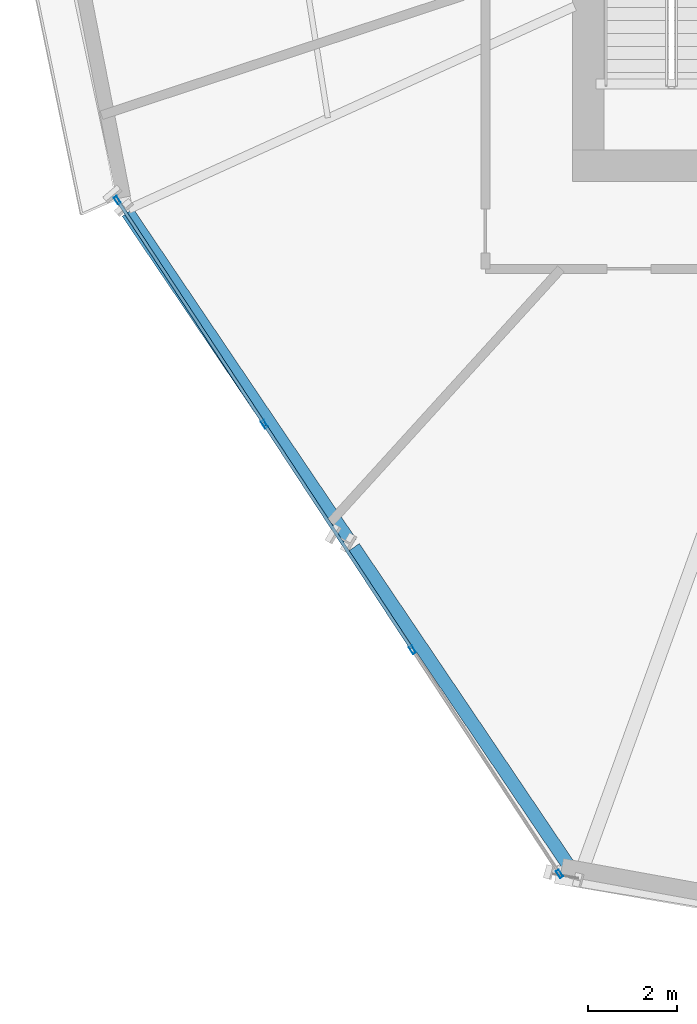
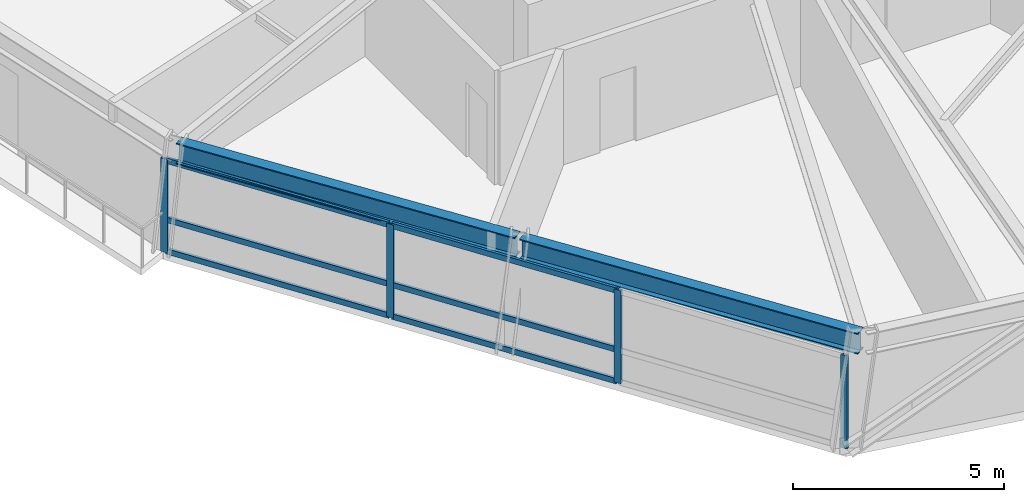
# One storey, part 2 of 14: 10 members, 2 beams, 1 element without a shape of its own.
"""IFC4 building model written with IfcOpenShell, lengths in metres."""

from ifc_helpers import new_model, si_unit, direction, frame, origin, origin_2d, place, context, subcontext, project, spatial, hollow_rectangle, i_section, extrude, source, transform, mapped, material, material_profile, profile_set, type_object, element, aggregate, save


model = new_model("IFC4")

# Units and contexts
model_context = context("Model", 3, precision=1e-05, world=origin(), true_north=direction((0.0, 1.0)))
body_context = subcontext(model_context, "Body", "Model", "MODEL_VIEW")
ifc_project = project(units=[si_unit("LENGTHUNIT", "METRE"), si_unit("AREAUNIT", "SQUARE_METRE"), si_unit("VOLUMEUNIT", "CUBIC_METRE"), si_unit("PLANEANGLEUNIT", "RADIAN"), si_unit("MASSUNIT", "GRAM", prefix="KILO")], contexts=[model_context])

# Site, building, storey
site_placement = place(None, origin())
site = spatial("IfcSite", under=ifc_project, at=site_placement, CompositionType="ELEMENT")
building_placement = place(site_placement, origin())
building = spatial("IfcBuilding", under=site, at=building_placement, Name="Olszyna Solenne Hotel", CompositionType="ELEMENT")
storey_placement = place(building_placement, frame((0.0, 0.0, 130.550048828125)))
storey = spatial("IfcBuildingStorey", under=building, at=storey_placement, Name="L34", CompositionType="ELEMENT", Elevation=130.550048828125)

# Beams
ifc_material_1 = material(Name="Steel S355J2", Category="steel")
ifc_material_profile_1 = material_profile(ifc_material_1, i_section(OverallWidth=0.300048828125, OverallDepth=0.60009765625, WebThickness=0.015380859375, FlangeThickness=0.030029296875, at=origin_2d()), Name="HEB 600", Category="load-bearing")
ifc_profile_set_1 = profile_set([ifc_material_profile_1], Name="Steel S355J2")
beam_type = type_object("IfcBeamType", Name="BM-S2", PredefinedType="BEAM", material=ifc_profile_set_1)
shared_shape_1 = source(origin(), body_context, "Body", "SweptSolid", [
    extrude(i_section(OverallWidth=0.300048828125, OverallDepth=0.60009765625, WebThickness=0.015380859375, FlangeThickness=0.030029296875, at=origin_2d()), origin(), (0.0, 0.0, 1.0), 8.910400390625),
])
beam_1_placement = place(storey_placement, frame((19.457275390625, 18.10791015625, 3.0), z_axis=(0.55954673301, -0.828798801627, 0.0), x_axis=(0.828798801627, 0.55954673301, 0.0)))
element("IfcBeam", 1, at=beam_1_placement, inside=storey, type_object=beam_type, Name="Perimeter spandrel beam BM-S2 B-L34-1022", PredefinedType="BEAM", context=body_context, shape_type="MappedRepresentation", body=[
    mapped(shared_shape_1, transform((0.0, 0.0, 0.0), x_axis=(1.0, 0.0, 0.0), y_axis=(0.0, 1.0, 0.0), z_axis=(0.0, 0.0, 1.0), scale=1.0)),
])
shared_shape_2 = source(origin(), body_context, "Body", "SweptSolid", [
    extrude(i_section(OverallWidth=0.300048828125, OverallDepth=0.60009765625, WebThickness=0.015380859375, FlangeThickness=0.030029296875, at=origin_2d()), origin(), (0.0, 0.0, 1.0), 8.91064453125),
])
beam_2_placement = place(storey_placement, frame((24.510498046875, 10.623291015625, 3.0), z_axis=(0.559565553301, -0.828786095177, 0.0), x_axis=(0.828786095177, 0.559565553301, 0.0)))
element("IfcBeam", 2, at=beam_2_placement, inside=storey, type_object=beam_type, Name="Perimeter spandrel beam BM-S2 B-L34-1023", PredefinedType="BEAM", context=body_context, shape_type="MappedRepresentation", body=[
    mapped(shared_shape_2, transform((0.0, 0.0, 0.0), x_axis=(1.0, 0.0, 0.0), y_axis=(0.0, 1.0, 0.0), z_axis=(0.0, 0.0, 1.0), scale=1.0)),
])

# Curtain wall, members
ifc_material_2 = material(Name="Anodised bronze aluminium", Category="aluminium")
curtain_wall_type = type_object("IfcCurtainWallType", Name="CW-SYS-3", PredefinedType="NOTDEFINED", material=ifc_material_2)
curtain_wall_placement = place(storey_placement, origin())
curtain_wall = element("IfcCurtainWall", 3, at=curtain_wall_placement, inside=storey, type_object=curtain_wall_type, Name="Unitised curtain wall CW-SYS-3 CW-L34-01", PredefinedType="NOTDEFINED")
ifc_material_profile_2 = material_profile(ifc_material_2, hollow_rectangle(XDim=0.074951171875, YDim=0.179931640625, WallThickness=0.00439453125, at=origin_2d()), Name="MULL 180x75x4.5", Category="load-bearing")
ifc_profile_set_2 = profile_set([ifc_material_profile_2], Name="Anodised bronze aluminium")
member_type_1 = type_object("IfcMemberType", Name="CW-M2", PredefinedType="MULLION", material=ifc_profile_set_2)
shared_shape_3 = source(origin(), body_context, "Body", "SweptSolid", [
    extrude(hollow_rectangle(XDim=0.074951171875, YDim=0.179931640625, WallThickness=0.00439453125, at=origin_2d()), origin(), (0.0, 0.0, 1.0), 2.69189453125),
])
member_1_placement = place(storey_placement, frame((19.22705078125, 18.382568359375, 0.0), z_axis=(0.0, 0.0, 1.0), x_axis=(0.836039507239, 0.548669246756, 0.0)))
member_1 = element("IfcMember", 4, at=member_1_placement, type_object=member_type_1, Name="Curtain-wall mullion CW-M2 CM-L34-01-01", PredefinedType="MULLION", context=body_context, shape_type="MappedRepresentation", body=[
    mapped(shared_shape_3, transform((0.0, 0.0, 0.0), x_axis=(1.0, 0.0, 0.0), y_axis=(0.0, 1.0, 0.0), z_axis=(0.0, 0.0, 1.0), scale=1.0)),
])
member_2_placement = place(storey_placement, frame((22.51318359375, 13.375, 0.0), z_axis=(0.0, 0.0, 1.0), x_axis=(0.836039507239, 0.548669246756, 0.0)))
member_2 = element("IfcMember", 5, at=member_2_placement, type_object=member_type_1, Name="Curtain-wall mullion CW-M2 CM-L34-01-02", PredefinedType="MULLION", context=body_context, shape_type="MappedRepresentation", body=[
    mapped(shared_shape_3, transform((0.0, 0.0, 0.0), x_axis=(1.0, 0.0, 0.0), y_axis=(0.0, 1.0, 0.0), z_axis=(0.0, 0.0, 1.0), scale=1.0)),
])
member_3_placement = place(storey_placement, frame((25.820068359375, 8.336181640625, 0.0), z_axis=(0.0, 0.0, 1.0), x_axis=(0.836039507239, 0.548669246756, 0.0)))
member_3 = element("IfcMember", 6, at=member_3_placement, type_object=member_type_1, Name="Curtain-wall mullion CW-M2 CM-L34-01-03", PredefinedType="MULLION", context=body_context, shape_type="MappedRepresentation", body=[
    mapped(shared_shape_3, transform((0.0, 0.0, 0.0), x_axis=(1.0, 0.0, 0.0), y_axis=(0.0, 1.0, 0.0), z_axis=(0.0, 0.0, 1.0), scale=1.0)),
])
member_4_placement = place(storey_placement, frame((29.1064453125, 3.32861328125, 0.0), z_axis=(0.0, 0.0, 1.0), x_axis=(0.836039507239, 0.548669246756, 0.0)))
member_4 = element("IfcMember", 7, at=member_4_placement, type_object=member_type_1, Name="Curtain-wall mullion CW-M2 CM-L34-01-04", PredefinedType="MULLION", context=body_context, shape_type="MappedRepresentation", body=[
    mapped(shared_shape_3, transform((0.0, 0.0, 0.0), x_axis=(1.0, 0.0, 0.0), y_axis=(0.0, 1.0, 0.0), z_axis=(0.0, 0.0, 1.0), scale=1.0)),
])
ifc_material_profile_3 = material_profile(ifc_material_2, hollow_rectangle(XDim=0.074951171875, YDim=0.159912109375, WallThickness=0.00390625, at=origin_2d()), Name="TRAN 160x75x4", Category="load-bearing")
ifc_profile_set_3 = profile_set([ifc_material_profile_3], Name="Anodised bronze aluminium")
member_type_2 = type_object("IfcMemberType", Name="CW-T1", PredefinedType="USERDEFINED", material=ifc_profile_set_3)
shared_shape_4 = source(origin(), body_context, "Body", "SweptSolid", [
    extrude(hollow_rectangle(XDim=0.074951171875, YDim=0.159912109375, WallThickness=0.00390625, at=origin_2d()), origin(), (0.0, 0.0, 1.0), 5.91455078125),
])
member_5_placement = place(storey_placement, frame((19.24755859375, 18.35107421875, 0.037353515625), z_axis=(0.548665457782, -0.836041993824, 0.0), x_axis=(0.836041993824, 0.548665457782, 0.0)))
member_5 = element("IfcMember", 8, at=member_5_placement, type_object=member_type_2, Name="Curtain-wall transom CW-T1 CT-L34-01-01", ObjectType="TRANSOM", PredefinedType="USERDEFINED", context=body_context, shape_type="MappedRepresentation", body=[
    mapped(shared_shape_4, transform((0.0, 0.0, 0.0), x_axis=(1.0, 0.0, 0.0), y_axis=(0.0, 1.0, 0.0), z_axis=(0.0, 0.0, 1.0), scale=1.0)),
])
member_6_placement = place(storey_placement, frame((19.24755859375, 18.35107421875, 0.949951171875), z_axis=(0.548665457782, -0.836041993824, 0.0), x_axis=(0.836041993824, 0.548665457782, 0.0)))
member_6 = element("IfcMember", 9, at=member_6_placement, type_object=member_type_2, Name="Curtain-wall transom CW-T1 CT-L34-01-02", ObjectType="TRANSOM", PredefinedType="USERDEFINED", context=body_context, shape_type="MappedRepresentation", body=[
    mapped(shared_shape_4, transform((0.0, 0.0, 0.0), x_axis=(1.0, 0.0, 0.0), y_axis=(0.0, 1.0, 0.0), z_axis=(0.0, 0.0, 1.0), scale=1.0)),
])
member_7_placement = place(storey_placement, frame((19.24755859375, 18.35107421875, 2.654541015625), z_axis=(0.548665457782, -0.836041993824, 0.0), x_axis=(0.836041993824, 0.548665457782, 0.0)))
member_7 = element("IfcMember", 10, at=member_7_placement, type_object=member_type_2, Name="Curtain-wall transom CW-T1 CT-L34-01-03", ObjectType="TRANSOM", PredefinedType="USERDEFINED", context=body_context, shape_type="MappedRepresentation", body=[
    mapped(shared_shape_4, transform((0.0, 0.0, 0.0), x_axis=(1.0, 0.0, 0.0), y_axis=(0.0, 1.0, 0.0), z_axis=(0.0, 0.0, 1.0), scale=1.0)),
])
shared_shape_5 = source(origin(), body_context, "Body", "SweptSolid", [
    extrude(hollow_rectangle(XDim=0.074951171875, YDim=0.159912109375, WallThickness=0.00390625, at=origin_2d()), origin(), (0.0, 0.0, 1.0), 5.951904296875),
])
member_8_placement = place(storey_placement, frame((22.533935546875, 13.343505859375, 0.037353515625), z_axis=(0.548665401159, -0.836042030983, 0.0), x_axis=(0.836042030983, 0.548665401159, 0.0)))
member_8 = element("IfcMember", 11, at=member_8_placement, type_object=member_type_2, Name="Curtain-wall transom CW-T1 CT-L34-01-04", ObjectType="TRANSOM", PredefinedType="USERDEFINED", context=body_context, shape_type="MappedRepresentation", body=[
    mapped(shared_shape_5, transform((0.0, 0.0, 0.0), x_axis=(1.0, 0.0, 0.0), y_axis=(0.0, 1.0, 0.0), z_axis=(0.0, 0.0, 1.0), scale=1.0)),
])
member_9_placement = place(storey_placement, frame((22.533935546875, 13.343505859375, 0.949951171875), z_axis=(0.548665401159, -0.836042030983, 0.0), x_axis=(0.836042030983, 0.548665401159, 0.0)))
member_9 = element("IfcMember", 12, at=member_9_placement, type_object=member_type_2, Name="Curtain-wall transom CW-T1 CT-L34-01-05", ObjectType="TRANSOM", PredefinedType="USERDEFINED", context=body_context, shape_type="MappedRepresentation", body=[
    mapped(shared_shape_5, transform((0.0, 0.0, 0.0), x_axis=(1.0, 0.0, 0.0), y_axis=(0.0, 1.0, 0.0), z_axis=(0.0, 0.0, 1.0), scale=1.0)),
])
member_10_placement = place(storey_placement, frame((22.533935546875, 13.343505859375, 2.654541015625), z_axis=(0.548665401159, -0.836042030983, 0.0), x_axis=(0.836042030983, 0.548665401159, 0.0)))
member_10 = element("IfcMember", 13, at=member_10_placement, type_object=member_type_2, Name="Curtain-wall transom CW-T1 CT-L34-01-06", ObjectType="TRANSOM", PredefinedType="USERDEFINED", context=body_context, shape_type="MappedRepresentation", body=[
    mapped(shared_shape_5, transform((0.0, 0.0, 0.0), x_axis=(1.0, 0.0, 0.0), y_axis=(0.0, 1.0, 0.0), z_axis=(0.0, 0.0, 1.0), scale=1.0)),
])
aggregate(curtain_wall, [member_1, member_2, member_3, member_4, member_5, member_6, member_7, member_8, member_9, member_10])

save(model, "model.ifc")
